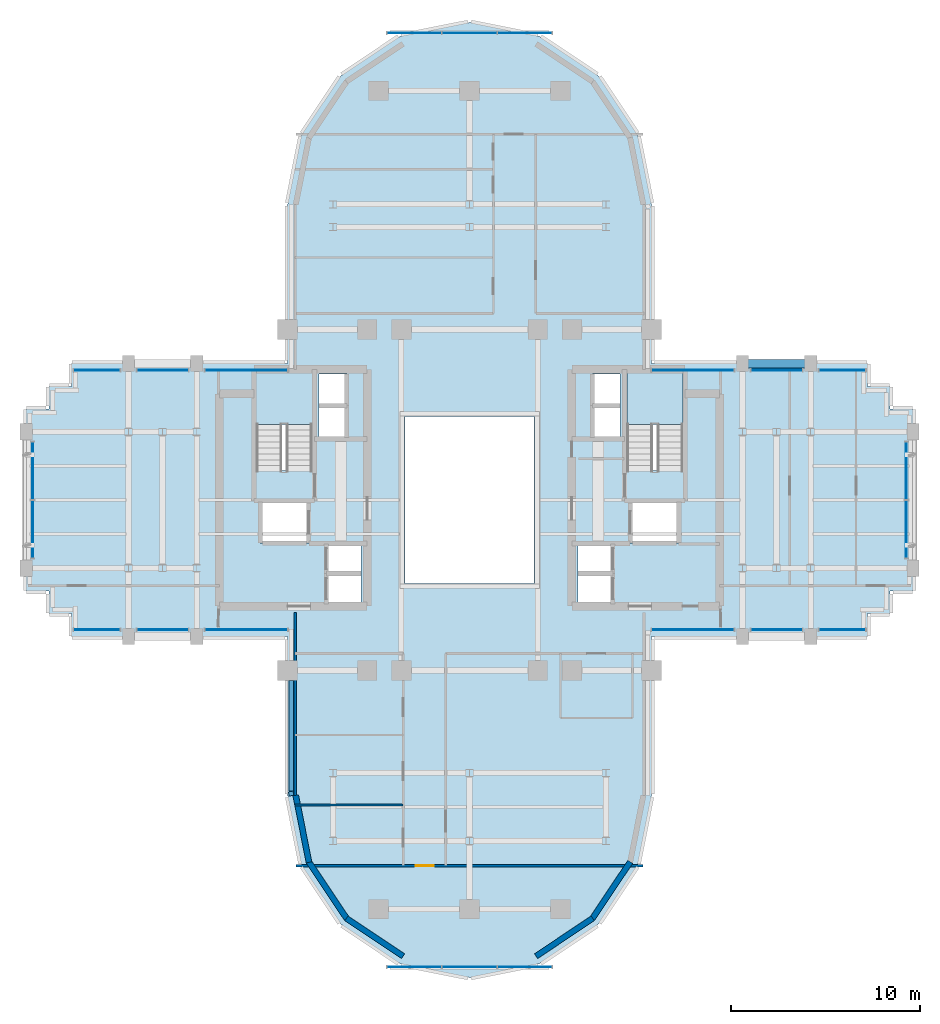
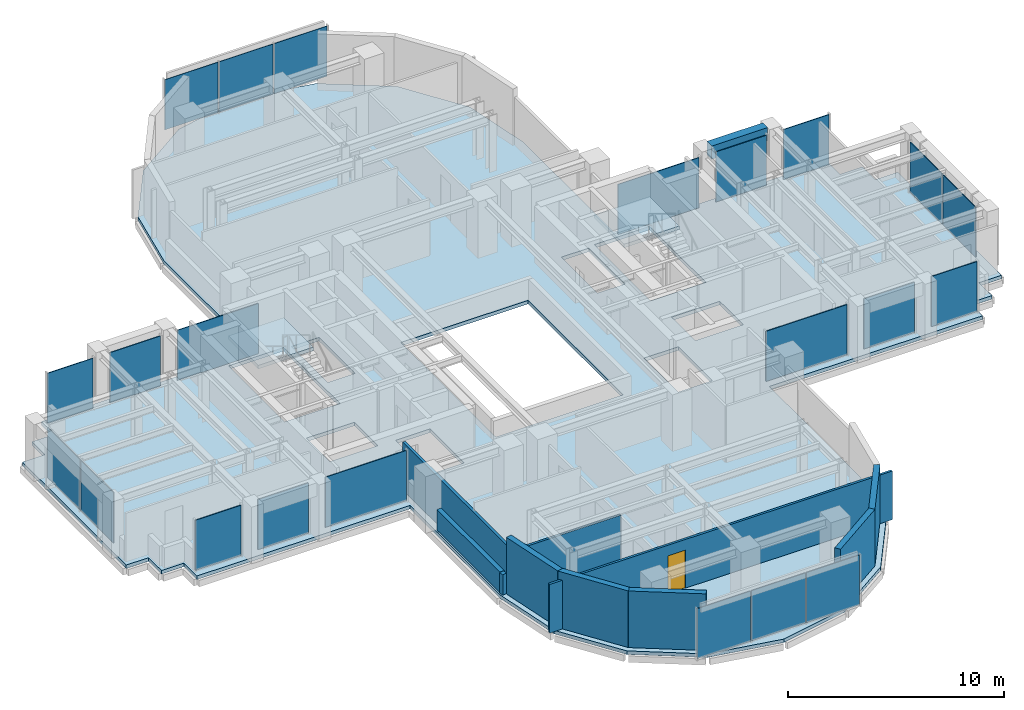
# One storey, part 7 of 14: 22 plates, 10 walls, 3 slabs, 1 beam, 1 door, 1 opening, 18 elements without a shape of their own.
"""IFC4 building model written with IfcOpenShell, lengths in metres."""

from ifc_helpers import new_model, si_unit, direction, frame, frame_2d, origin, origin_2d, place, context, subcontext, project, spatial, polyline, rectangle, outline, extrude, source, transform, mapped, material, layer, layer_set, material_profile, profile_set, type_object, element, fill, aggregate, save


model = new_model("IFC4")

# Units and contexts
model_context = context("Model", 3, precision=1e-05, world=origin(), true_north=direction((0.0, 1.0)))
body_context = subcontext(model_context, "Body", "Model", "MODEL_VIEW")
ifc_project = project(units=[si_unit("LENGTHUNIT", "METRE"), si_unit("AREAUNIT", "SQUARE_METRE"), si_unit("VOLUMEUNIT", "CUBIC_METRE"), si_unit("PLANEANGLEUNIT", "RADIAN"), si_unit("MASSUNIT", "GRAM", prefix="KILO")], contexts=[model_context])

# Site, building, storey
site_placement = place(None, origin())
site = spatial("IfcSite", under=ifc_project, at=site_placement, CompositionType="ELEMENT")
building_placement = place(site_placement, origin())
building = spatial("IfcBuilding", under=site, at=building_placement, Name="Keilestroom Media Tower", CompositionType="ELEMENT")
storey_placement = place(building_placement, frame((0.0, 0.0, 134.60009765625)))
storey = spatial("IfcBuildingStorey", under=building, at=storey_placement, Name="L36", CompositionType="ELEMENT", Elevation=134.60009765625)

# Beam
ifc_material_1 = material(Name="Precast concrete C40/50", Category="concrete")
ifc_material_profile = material_profile(ifc_material_1, rectangle(XDim=0.449951171875, YDim=0.75, at=origin_2d()), Name="PC 450x750")
ifc_profile_set = profile_set([ifc_material_profile], Name="Precast concrete C40/50")
beam_type = type_object("IfcBeamType", Name="Perimeter-Spandrel-Beam-PC-450x750", PredefinedType="SPANDREL", material=ifc_profile_set)
shared_shape_1 = source(origin(), body_context, "Body", "SweptSolid", [
    extrude(rectangle(XDim=0.449951171875, YDim=0.75, at=origin_2d()), origin(), (0.0, 0.0, 1.0), 2.989990234375),
])
beam_placement = place(storey_placement, frame((14.705078125, 7.199951171875, 2.824951171875), z_axis=(1.0, 0.0, 0.0), x_axis=(0.0, 1.0, 0.0)))
element("IfcBeam", 1, at=beam_placement, inside=storey, type_object=beam_type, Name="L36 Beam SPB-1 BM-L36-EW-027", PredefinedType="SPANDREL", context=body_context, shape_type="MappedRepresentation", body=[
    mapped(shared_shape_1, transform((0.0, 0.0, 0.0), x_axis=(1.0, 0.0, 0.0), y_axis=(0.0, 1.0, 0.0), z_axis=(0.0, 0.0, 1.0), scale=1.0)),
])

# Slab
ifc_material_2 = material(Name="Concrete C50/60", Category="concrete")
ifc_layer_1 = layer(ifc_material_2, 0.199951171875)
ifc_layer_set_1 = layer_set([ifc_layer_1], Name="Concrete C50/60")
slab_type_1 = type_object("IfcSlabType", Name="Composite-Floor-Slab-200", PredefinedType="FLOOR", material=ifc_layer_set_1)
slab_1_placement = place(storey_placement, frame((0.0, 0.0, -0.2001953125)))
element("IfcSlab", 2, at=slab_1_placement, inside=storey, type_object=slab_type_1, Name="L36 Structural Composite Floor Slab", PredefinedType="FLOOR", context=body_context, shape_type="SweptSolid", body=[
    extrude(outline(polyline([(23.39990234375, -4.800048828125), (23.39990234375, 4.800048828125), (22.199951171875, 4.800048828125), (22.199951171875, 6.0), (21.0, 6.0), (21.0, 7.199951171875), (9.60009765625, 7.199951171875), (9.60009765625, 9.60009765625), (9.60009765625, 15.60009765625), (8.869140625, 19.273681640625), (6.7880859375, 22.38818359375), (3.673828125, 24.46923828125), (0.0, 25.199951171875), (-3.673828125, 24.46923828125), (-6.7880859375, 22.38818359375), (-8.869140625, 19.273681640625), (-9.60009765625, 15.60009765625), (-9.60009765625, 9.60009765625), (-9.60009765625, 7.199951171875), (-21.0, 7.199951171875), (-21.0, 6.0), (-22.199951171875, 6.0), (-22.199951171875, 4.800048828125), (-23.39990234375, 4.800048828125), (-23.39990234375, -4.800048828125), (-22.199951171875, -4.800048828125), (-22.199951171875, -6.0), (-21.0, -6.0), (-21.0, -7.199951171875), (-9.60009765625, -7.199951171875), (-9.60009765625, -9.60009765625), (-9.60009765625, -15.60009765625), (-8.869140625, -19.273681640625), (-6.7880859375, -22.38818359375), (-3.673828125, -24.46923828125), (0.0, -25.199951171875), (3.673828125, -24.46923828125), (6.7880859375, -22.38818359375), (8.869140625, -19.273681640625), (9.60009765625, -15.60009765625), (9.60009765625, -9.60009765625), (9.60009765625, -7.199951171875), (21.0, -7.199951171875), (21.0, -6.0), (22.199951171875, -6.0), (22.199951171875, -4.800048828125), (23.39990234375, -4.800048828125)]), holes=[polyline([(-11.260009765625, 1.544921875), (-11.260009765625, 6.760009765625), (-8.300048828125, 6.760009765625), (-8.300048828125, 1.544921875), (-11.260009765625, 1.544921875)]), polyline([(-11.050048828125, -2.280029296875), (-11.050048828125, -0.10009765625), (-8.47998046875, -0.10009765625), (-8.47998046875, -2.280029296875), (-11.050048828125, -2.280029296875)]), polyline([(-7.949951171875, 3.300048828125), (-7.949951171875, 6.64990234375), (-6.47998046875, 6.64990234375), (-6.47998046875, 3.300048828125), (-7.949951171875, 3.300048828125)]), polyline([(-7.56005859375, -2.320068359375), (-5.719970703125, -2.320068359375), (-5.719970703125, -5.47998046875), (-7.56005859375, -5.47998046875), (-7.56005859375, -2.320068359375)]), polyline([(3.39990234375, -4.39990234375), (-3.39990234375, -4.39990234375), (-3.39990234375, 4.39990234375), (3.39990234375, 4.39990234375), (3.39990234375, -4.39990234375)]), polyline([(7.56005859375, -2.320068359375), (7.56005859375, -5.47998046875), (5.719970703125, -5.47998046875), (5.719970703125, -2.320068359375), (7.56005859375, -2.320068359375)]), polyline([(6.47998046875, 3.300048828125), (6.47998046875, 6.64990234375), (7.949951171875, 6.64990234375), (7.949951171875, 3.300048828125), (6.47998046875, 3.300048828125)]), polyline([(8.300048828125, 1.544921875), (8.300048828125, 6.760009765625), (11.260009765625, 6.760009765625), (11.260009765625, 1.544921875), (8.300048828125, 1.544921875)]), polyline([(8.47998046875, -2.280029296875), (8.47998046875, -0.10009765625), (11.050048828125, -0.10009765625), (11.050048828125, -2.280029296875), (8.47998046875, -2.280029296875)])]), origin(), (0.0, 0.0, 1.0), 0.2001953125),
])

# Stair, slab
ifc_material_3 = material(Name="Concrete C45/55", Category="concrete")
stair_type = type_object("IfcStairType", Name="Enclosed-Dog-Leg-Stair-ST-CORE", PredefinedType="HALF_TURN_STAIR", material=ifc_material_3)
stair_1_placement = place(storey_placement, origin())
stair_1 = element("IfcStair", 3, at=stair_1_placement, inside=storey, type_object=stair_type, Name="L36 West Core Escape Stair ST-1", PredefinedType="HALF_TURN_STAIR")
ifc_layer_2 = layer(ifc_material_3, 0.199951171875)
ifc_layer_set_2 = layer_set([ifc_layer_2], Name="Concrete C45/55")
slab_type_2 = type_object("IfcSlabType", Name="Stair-Intermediate-And-Top-Landing-Slab-200", PredefinedType="LANDING", material=ifc_layer_set_2)
slab_2_placement = place(storey_placement, frame((0.0, 0.0, 1.5)))
slab_2 = element("IfcSlab", 4, at=slab_2_placement, type_object=slab_type_2, Name="ST-1 landing 1", PredefinedType="LANDING", context=body_context, shape_type="SweptSolid", body=[
    extrude(outline(polyline([(-8.300048828125, 3.99609375), (-8.300048828125, 6.760009765625), (-11.260009765625, 6.760009765625), (-11.260009765625, 3.99609375), (-8.300048828125, 3.99609375)])), origin(), (0.0, 0.0, 1.0), 0.199951171875),
])
aggregate(stair_1, [slab_2])

stair_2_placement = place(storey_placement, origin())
stair_2 = element("IfcStair", 5, at=stair_2_placement, inside=storey, type_object=stair_type, Name="L36 East Core Escape Stair ST-2", PredefinedType="HALF_TURN_STAIR")
slab_3_placement = place(storey_placement, frame((0.0, 0.0, 1.5)))
slab_3 = element("IfcSlab", 6, at=slab_3_placement, type_object=slab_type_2, Name="ST-2 landing 1", PredefinedType="LANDING", context=body_context, shape_type="SweptSolid", body=[
    extrude(outline(polyline([(11.260009765625, 3.99609375), (11.260009765625, 6.760009765625), (8.300048828125, 6.760009765625), (8.300048828125, 3.99609375), (11.260009765625, 3.99609375)])), origin(), (0.0, 0.0, 1.0), 0.199951171875),
])
aggregate(stair_2, [slab_3])

# Curtain wall, plates
ifc_material_4 = material(Name="Anodised Aluminium Alloy", Category="aluminium")
curtain_wall_type_1 = type_object("IfcCurtainWallType", Name="Unitised-Curtain-Wall-CW-6", PredefinedType="NOTDEFINED", material=ifc_material_4)
curtain_wall_1_placement = place(storey_placement, origin())
curtain_wall_1 = element("IfcCurtainWall", 7, at=curtain_wall_1_placement, inside=storey, type_object=curtain_wall_type_1, Name="L36 Curtain Wall CW-6 CW-L36-LN-1", PredefinedType="NOTDEFINED")
ifc_material_5 = material(Name="Curved-Facet Triple Glazed Unit", Category="glass")
ifc_layer_3 = layer(ifc_material_5, 0.033935546875)
ifc_layer_set_3 = layer_set([ifc_layer_3], Name="Curved-Facet Triple Glazed Unit")
plate_type_1 = type_object("IfcPlateType", Name="Insulated-Curtain-Wall-Glazing-Panel-CW-6", PredefinedType="CURTAIN_PANEL", material=ifc_layer_set_3)
shared_shape_2 = source(origin(), body_context, "Body", "SweptSolid", [
    extrude(rectangle(XDim=2.84375, YDim=0.033935546875, at=origin_2d()), origin(), (0.0, 0.0, 1.0), 2.833984375),
])
plate_1_placement = place(storey_placement, frame((-2.9169921875, 24.64990234375, 0.072998046875), z_axis=(0.0, 0.0, 1.0), x_axis=(1.0, 0.0, 0.0)))
plate_1 = element("IfcPlate", 8, at=plate_1_placement, type_object=plate_type_1, Name="CW-6 Unitised Glazing 00", PredefinedType="CURTAIN_PANEL", context=body_context, shape_type="MappedRepresentation", body=[
    mapped(shared_shape_2, transform((0.0, 0.0, 0.0), x_axis=(1.0, 0.0, 0.0), y_axis=(0.0, 1.0, 0.0), z_axis=(0.0, 0.0, 1.0), scale=1.0)),
])
plate_2_placement = place(storey_placement, frame((2.9169921875, 24.64990234375, 0.072998046875), z_axis=(0.0, 0.0, 1.0), x_axis=(1.0, 0.0, 0.0)))
plate_2 = element("IfcPlate", 9, at=plate_2_placement, type_object=plate_type_1, Name="CW-6 Unitised Glazing 02", PredefinedType="CURTAIN_PANEL", context=body_context, shape_type="MappedRepresentation", body=[
    mapped(shared_shape_2, transform((0.0, 0.0, 0.0), x_axis=(1.0, 0.0, 0.0), y_axis=(0.0, 1.0, 0.0), z_axis=(0.0, 0.0, 1.0), scale=1.0)),
])

curtain_wall_2_placement = place(storey_placement, origin())
curtain_wall_2 = element("IfcCurtainWall", 10, at=curtain_wall_2_placement, inside=storey, type_object=curtain_wall_type_1, Name="L36 Curtain Wall CW-6 CW-L36-LS-1", PredefinedType="NOTDEFINED")
plate_3_placement = place(storey_placement, frame((-2.9169921875, -24.64990234375, 0.072998046875), z_axis=(0.0, 0.0, 1.0), x_axis=(1.0, 0.0, 0.0)))
plate_3 = element("IfcPlate", 11, at=plate_3_placement, type_object=plate_type_1, Name="CW-6 Unitised Glazing 00", PredefinedType="CURTAIN_PANEL", context=body_context, shape_type="MappedRepresentation", body=[
    mapped(shared_shape_2, transform((0.0, 0.0, 0.0), x_axis=(1.0, 0.0, 0.0), y_axis=(0.0, 1.0, 0.0), z_axis=(0.0, 0.0, 1.0), scale=1.0)),
])
plate_4_placement = place(storey_placement, frame((2.9169921875, -24.64990234375, 0.072998046875), z_axis=(0.0, 0.0, 1.0), x_axis=(1.0, 0.0, 0.0)))
plate_4 = element("IfcPlate", 12, at=plate_4_placement, type_object=plate_type_1, Name="CW-6 Unitised Glazing 02", PredefinedType="CURTAIN_PANEL", context=body_context, shape_type="MappedRepresentation", body=[
    mapped(shared_shape_2, transform((0.0, 0.0, 0.0), x_axis=(1.0, 0.0, 0.0), y_axis=(0.0, 1.0, 0.0), z_axis=(0.0, 0.0, 1.0), scale=1.0)),
])

# Plate
shared_shape_3 = source(origin(), body_context, "Body", "SweptSolid", [
    extrude(rectangle(XDim=2.876220703125, YDim=0.033935546875, at=origin_2d()), origin(), (0.0, 0.0, 1.0), 2.833984375),
])
plate_5_placement = place(storey_placement, frame((0.0, 24.64990234375, 0.072998046875), z_axis=(0.0, 0.0, 1.0), x_axis=(1.0, 0.0, 0.0)))
plate_5 = element("IfcPlate", 13, at=plate_5_placement, type_object=plate_type_1, Name="CW-6 Unitised Glazing 01", PredefinedType="CURTAIN_PANEL", context=body_context, shape_type="MappedRepresentation", body=[
    mapped(shared_shape_3, transform((0.0, 0.0, 0.0), x_axis=(1.0, 0.0, 0.0), y_axis=(0.0, 1.0, 0.0), z_axis=(0.0, 0.0, 1.0), scale=1.0)),
])

aggregate(curtain_wall_1, [plate_1, plate_5, plate_2])

plate_6_placement = place(storey_placement, frame((0.0, -24.64990234375, 0.072998046875), z_axis=(0.0, 0.0, 1.0), x_axis=(1.0, 0.0, 0.0)))
plate_6 = element("IfcPlate", 14, at=plate_6_placement, type_object=plate_type_1, Name="CW-6 Unitised Glazing 01", PredefinedType="CURTAIN_PANEL", context=body_context, shape_type="MappedRepresentation", body=[
    mapped(shared_shape_3, transform((0.0, 0.0, 0.0), x_axis=(1.0, 0.0, 0.0), y_axis=(0.0, 1.0, 0.0), z_axis=(0.0, 0.0, 1.0), scale=1.0)),
])

aggregate(curtain_wall_2, [plate_3, plate_6, plate_4])

# Curtain wall, plate
curtain_wall_type_2 = type_object("IfcCurtainWallType", Name="Unitised-Curtain-Wall-CW-2", PredefinedType="NOTDEFINED", material=ifc_material_4)
curtain_wall_3_placement = place(storey_placement, origin())
curtain_wall_3 = element("IfcCurtainWall", 15, at=curtain_wall_3_placement, inside=storey, type_object=curtain_wall_type_2, Name="L36 Curtain Wall CW-2 CW-L36-NW-1", PredefinedType="NOTDEFINED")
ifc_material_6 = material(Name="Double Glazed Low-E Unit", Category="glass")
ifc_layer_4 = layer(ifc_material_6, 0.0419921875)
ifc_layer_set_4 = layer_set([ifc_layer_4], Name="Double Glazed Low-E Unit")
plate_type_2 = type_object("IfcPlateType", Name="Insulated-Curtain-Wall-Glazing-Panel-CW-2", PredefinedType="CURTAIN_PANEL", material=ifc_layer_set_4)
shared_shape_4 = source(origin(), body_context, "Body", "SweptSolid", [
    extrude(rectangle(XDim=2.43310546875, YDim=0.0419921875, at=origin_2d()), origin(), (0.0, 0.0, 1.0), 2.833984375),
])
plate_7_placement = place(storey_placement, frame((-19.66748046875, 6.85009765625, 0.072998046875), z_axis=(0.0, 0.0, 1.0), x_axis=(1.0, 0.0, 0.0)))
plate_7 = element("IfcPlate", 16, at=plate_7_placement, type_object=plate_type_2, Name="CW-2 Unitised Glazing 00", PredefinedType="CURTAIN_PANEL", context=body_context, shape_type="MappedRepresentation", body=[
    mapped(shared_shape_4, transform((0.0, 0.0, 0.0), x_axis=(1.0, 0.0, 0.0), y_axis=(0.0, 1.0, 0.0), z_axis=(0.0, 0.0, 1.0), scale=1.0)),
])
aggregate(curtain_wall_3, [plate_7])

curtain_wall_4_placement = place(storey_placement, origin())
curtain_wall_4 = element("IfcCurtainWall", 17, at=curtain_wall_4_placement, inside=storey, type_object=curtain_wall_type_2, Name="L36 Curtain Wall CW-2 CW-L36-NE-3", PredefinedType="NOTDEFINED")
plate_8_placement = place(storey_placement, frame((19.66748046875, 6.85009765625, 0.072998046875), z_axis=(0.0, 0.0, 1.0), x_axis=(1.0, 0.0, 0.0)))
plate_8 = element("IfcPlate", 18, at=plate_8_placement, type_object=plate_type_2, Name="CW-2 Unitised Glazing 00", PredefinedType="CURTAIN_PANEL", context=body_context, shape_type="MappedRepresentation", body=[
    mapped(shared_shape_4, transform((0.0, 0.0, 0.0), x_axis=(1.0, 0.0, 0.0), y_axis=(0.0, 1.0, 0.0), z_axis=(0.0, 0.0, 1.0), scale=1.0)),
])
aggregate(curtain_wall_4, [plate_8])

curtain_wall_5_placement = place(storey_placement, origin())
curtain_wall_5 = element("IfcCurtainWall", 19, at=curtain_wall_5_placement, inside=storey, type_object=curtain_wall_type_2, Name="L36 Curtain Wall CW-2 CW-L36-SW-1", PredefinedType="NOTDEFINED")
plate_9_placement = place(storey_placement, frame((-19.66748046875, -6.85009765625, 0.072998046875), z_axis=(0.0, 0.0, 1.0), x_axis=(1.0, 0.0, 0.0)))
plate_9 = element("IfcPlate", 20, at=plate_9_placement, type_object=plate_type_2, Name="CW-2 Unitised Glazing 00", PredefinedType="CURTAIN_PANEL", context=body_context, shape_type="MappedRepresentation", body=[
    mapped(shared_shape_4, transform((0.0, 0.0, 0.0), x_axis=(1.0, 0.0, 0.0), y_axis=(0.0, 1.0, 0.0), z_axis=(0.0, 0.0, 1.0), scale=1.0)),
])
aggregate(curtain_wall_5, [plate_9])

curtain_wall_6_placement = place(storey_placement, origin())
curtain_wall_6 = element("IfcCurtainWall", 21, at=curtain_wall_6_placement, inside=storey, type_object=curtain_wall_type_2, Name="L36 Curtain Wall CW-2 CW-L36-SE-3", PredefinedType="NOTDEFINED")
plate_10_placement = place(storey_placement, frame((19.66748046875, -6.85009765625, 0.072998046875), z_axis=(0.0, 0.0, 1.0), x_axis=(1.0, 0.0, 0.0)))
plate_10 = element("IfcPlate", 22, at=plate_10_placement, type_object=plate_type_2, Name="CW-2 Unitised Glazing 00", PredefinedType="CURTAIN_PANEL", context=body_context, shape_type="MappedRepresentation", body=[
    mapped(shared_shape_4, transform((0.0, 0.0, 0.0), x_axis=(1.0, 0.0, 0.0), y_axis=(0.0, 1.0, 0.0), z_axis=(0.0, 0.0, 1.0), scale=1.0)),
])
aggregate(curtain_wall_6, [plate_10])

curtain_wall_7_placement = place(storey_placement, origin())
curtain_wall_7 = element("IfcCurtainWall", 23, at=curtain_wall_7_placement, inside=storey, type_object=curtain_wall_type_2, Name="L36 Curtain Wall CW-2 CW-L36-NW-2", PredefinedType="NOTDEFINED")
shared_shape_5 = source(origin(), body_context, "Body", "SweptSolid", [
    extrude(rectangle(XDim=2.697998046875, YDim=0.0419921875, at=origin_2d()), origin(), (0.0, 0.0, 1.0), 2.833984375),
])
plate_11_placement = place(storey_placement, frame((-16.199951171875, 6.85009765625, 0.072998046875), z_axis=(0.0, 0.0, 1.0), x_axis=(1.0, 0.0, 0.0)))
plate_11 = element("IfcPlate", 24, at=plate_11_placement, type_object=plate_type_2, Name="CW-2 Unitised Glazing 00", PredefinedType="CURTAIN_PANEL", context=body_context, shape_type="MappedRepresentation", body=[
    mapped(shared_shape_5, transform((0.0, 0.0, 0.0), x_axis=(1.0, 0.0, 0.0), y_axis=(0.0, 1.0, 0.0), z_axis=(0.0, 0.0, 1.0), scale=1.0)),
])
aggregate(curtain_wall_7, [plate_11])

curtain_wall_8_placement = place(storey_placement, origin())
curtain_wall_8 = element("IfcCurtainWall", 25, at=curtain_wall_8_placement, inside=storey, type_object=curtain_wall_type_2, Name="L36 Curtain Wall CW-2 CW-L36-NE-2", PredefinedType="NOTDEFINED")
plate_12_placement = place(storey_placement, frame((16.199951171875, 6.85009765625, 0.072998046875), z_axis=(0.0, 0.0, 1.0), x_axis=(1.0, 0.0, 0.0)))
plate_12 = element("IfcPlate", 26, at=plate_12_placement, type_object=plate_type_2, Name="CW-2 Unitised Glazing 00", PredefinedType="CURTAIN_PANEL", context=body_context, shape_type="MappedRepresentation", body=[
    mapped(shared_shape_5, transform((0.0, 0.0, 0.0), x_axis=(1.0, 0.0, 0.0), y_axis=(0.0, 1.0, 0.0), z_axis=(0.0, 0.0, 1.0), scale=1.0)),
])
aggregate(curtain_wall_8, [plate_12])

curtain_wall_9_placement = place(storey_placement, origin())
curtain_wall_9 = element("IfcCurtainWall", 27, at=curtain_wall_9_placement, inside=storey, type_object=curtain_wall_type_2, Name="L36 Curtain Wall CW-2 CW-L36-SW-2", PredefinedType="NOTDEFINED")
plate_13_placement = place(storey_placement, frame((-16.199951171875, -6.85009765625, 0.072998046875), z_axis=(0.0, 0.0, 1.0), x_axis=(1.0, 0.0, 0.0)))
plate_13 = element("IfcPlate", 28, at=plate_13_placement, type_object=plate_type_2, Name="CW-2 Unitised Glazing 00", PredefinedType="CURTAIN_PANEL", context=body_context, shape_type="MappedRepresentation", body=[
    mapped(shared_shape_5, transform((0.0, 0.0, 0.0), x_axis=(1.0, 0.0, 0.0), y_axis=(0.0, 1.0, 0.0), z_axis=(0.0, 0.0, 1.0), scale=1.0)),
])
aggregate(curtain_wall_9, [plate_13])

curtain_wall_10_placement = place(storey_placement, origin())
curtain_wall_10 = element("IfcCurtainWall", 29, at=curtain_wall_10_placement, inside=storey, type_object=curtain_wall_type_2, Name="L36 Curtain Wall CW-2 CW-L36-SE-2", PredefinedType="NOTDEFINED")
plate_14_placement = place(storey_placement, frame((16.199951171875, -6.85009765625, 0.072998046875), z_axis=(0.0, 0.0, 1.0), x_axis=(1.0, 0.0, 0.0)))
plate_14 = element("IfcPlate", 30, at=plate_14_placement, type_object=plate_type_2, Name="CW-2 Unitised Glazing 00", PredefinedType="CURTAIN_PANEL", context=body_context, shape_type="MappedRepresentation", body=[
    mapped(shared_shape_5, transform((0.0, 0.0, 0.0), x_axis=(1.0, 0.0, 0.0), y_axis=(0.0, 1.0, 0.0), z_axis=(0.0, 0.0, 1.0), scale=1.0)),
])
aggregate(curtain_wall_10, [plate_14])

curtain_wall_11_placement = place(storey_placement, origin())
curtain_wall_11 = element("IfcCurtainWall", 31, at=curtain_wall_11_placement, inside=storey, type_object=curtain_wall_type_2, Name="L36 Curtain Wall CW-2 CW-L36-NW-3", PredefinedType="NOTDEFINED")
shared_shape_6 = source(origin(), body_context, "Body", "SweptSolid", [
    extrude(rectangle(XDim=4.3330078125, YDim=0.0419921875, at=origin_2d()), origin(), (0.0, 0.0, 1.0), 2.833984375),
])
plate_15_placement = place(storey_placement, frame((-11.782470703125, 6.85009765625, 0.072998046875), z_axis=(0.0, 0.0, 1.0), x_axis=(1.0, 0.0, 0.0)))
plate_15 = element("IfcPlate", 32, at=plate_15_placement, type_object=plate_type_2, Name="CW-2 Unitised Glazing 00", PredefinedType="CURTAIN_PANEL", context=body_context, shape_type="MappedRepresentation", body=[
    mapped(shared_shape_6, transform((0.0, 0.0, 0.0), x_axis=(1.0, 0.0, 0.0), y_axis=(0.0, 1.0, 0.0), z_axis=(0.0, 0.0, 1.0), scale=1.0)),
])
aggregate(curtain_wall_11, [plate_15])

curtain_wall_12_placement = place(storey_placement, origin())
curtain_wall_12 = element("IfcCurtainWall", 33, at=curtain_wall_12_placement, inside=storey, type_object=curtain_wall_type_2, Name="L36 Curtain Wall CW-2 CW-L36-NE-1", PredefinedType="NOTDEFINED")
plate_16_placement = place(storey_placement, frame((11.782470703125, 6.85009765625, 0.072998046875), z_axis=(0.0, 0.0, 1.0), x_axis=(1.0, 0.0, 0.0)))
plate_16 = element("IfcPlate", 34, at=plate_16_placement, type_object=plate_type_2, Name="CW-2 Unitised Glazing 00", PredefinedType="CURTAIN_PANEL", context=body_context, shape_type="MappedRepresentation", body=[
    mapped(shared_shape_6, transform((0.0, 0.0, 0.0), x_axis=(1.0, 0.0, 0.0), y_axis=(0.0, 1.0, 0.0), z_axis=(0.0, 0.0, 1.0), scale=1.0)),
])
aggregate(curtain_wall_12, [plate_16])

curtain_wall_13_placement = place(storey_placement, origin())
curtain_wall_13 = element("IfcCurtainWall", 35, at=curtain_wall_13_placement, inside=storey, type_object=curtain_wall_type_2, Name="L36 Curtain Wall CW-2 CW-L36-SW-3", PredefinedType="NOTDEFINED")
plate_17_placement = place(storey_placement, frame((-11.782470703125, -6.85009765625, 0.072998046875), z_axis=(0.0, 0.0, 1.0), x_axis=(1.0, 0.0, 0.0)))
plate_17 = element("IfcPlate", 36, at=plate_17_placement, type_object=plate_type_2, Name="CW-2 Unitised Glazing 00", PredefinedType="CURTAIN_PANEL", context=body_context, shape_type="MappedRepresentation", body=[
    mapped(shared_shape_6, transform((0.0, 0.0, 0.0), x_axis=(1.0, 0.0, 0.0), y_axis=(0.0, 1.0, 0.0), z_axis=(0.0, 0.0, 1.0), scale=1.0)),
])
aggregate(curtain_wall_13, [plate_17])

curtain_wall_14_placement = place(storey_placement, origin())
curtain_wall_14 = element("IfcCurtainWall", 37, at=curtain_wall_14_placement, inside=storey, type_object=curtain_wall_type_2, Name="L36 Curtain Wall CW-2 CW-L36-SE-1", PredefinedType="NOTDEFINED")
plate_18_placement = place(storey_placement, frame((11.782470703125, -6.85009765625, 0.072998046875), z_axis=(0.0, 0.0, 1.0), x_axis=(1.0, 0.0, 0.0)))
plate_18 = element("IfcPlate", 38, at=plate_18_placement, type_object=plate_type_2, Name="CW-2 Unitised Glazing 00", PredefinedType="CURTAIN_PANEL", context=body_context, shape_type="MappedRepresentation", body=[
    mapped(shared_shape_6, transform((0.0, 0.0, 0.0), x_axis=(1.0, 0.0, 0.0), y_axis=(0.0, 1.0, 0.0), z_axis=(0.0, 0.0, 1.0), scale=1.0)),
])
aggregate(curtain_wall_14, [plate_18])

# Curtain wall, plates
curtain_wall_15_placement = place(storey_placement, origin())
curtain_wall_15 = element("IfcCurtainWall", 39, at=curtain_wall_15_placement, inside=storey, type_object=curtain_wall_type_2, Name="L36 Curtain Wall CW-2 CW-L36-W-1", PredefinedType="NOTDEFINED")
shared_shape_7 = source(origin(), body_context, "Body", "SweptSolid", [
    extrude(rectangle(XDim=3.01806640625, YDim=0.0419921875, at=origin_2d()), origin(), (0.0, 0.0, 1.0), 2.833984375),
])
plate_19_placement = place(storey_placement, frame((-23.050048828125, -1.5400390625, 0.072998046875), z_axis=(0.0, 0.0, 1.0), x_axis=(0.0, 1.0, 0.0)))
plate_19 = element("IfcPlate", 40, at=plate_19_placement, type_object=plate_type_2, Name="CW-2 Unitised Glazing 00", PredefinedType="CURTAIN_PANEL", context=body_context, shape_type="MappedRepresentation", body=[
    mapped(shared_shape_7, transform((0.0, 0.0, 0.0), x_axis=(1.0, 0.0, 0.0), y_axis=(0.0, 1.0, 0.0), z_axis=(0.0, 0.0, 1.0), scale=1.0)),
])
plate_20_placement = place(storey_placement, frame((-23.050048828125, 1.5400390625, 0.072998046875), z_axis=(0.0, 0.0, 1.0), x_axis=(0.0, 1.0, 0.0)))
plate_20 = element("IfcPlate", 41, at=plate_20_placement, type_object=plate_type_2, Name="CW-2 Unitised Glazing 01", PredefinedType="CURTAIN_PANEL", context=body_context, shape_type="MappedRepresentation", body=[
    mapped(shared_shape_7, transform((0.0, 0.0, 0.0), x_axis=(1.0, 0.0, 0.0), y_axis=(0.0, 1.0, 0.0), z_axis=(0.0, 0.0, 1.0), scale=1.0)),
])
aggregate(curtain_wall_15, [plate_19, plate_20])

curtain_wall_16_placement = place(storey_placement, origin())
curtain_wall_16 = element("IfcCurtainWall", 42, at=curtain_wall_16_placement, inside=storey, type_object=curtain_wall_type_2, Name="L36 Curtain Wall CW-2 CW-L36-E-1", PredefinedType="NOTDEFINED")
plate_21_placement = place(storey_placement, frame((23.050048828125, -1.5400390625, 0.072998046875), z_axis=(0.0, 0.0, 1.0), x_axis=(0.0, 1.0, 0.0)))
plate_21 = element("IfcPlate", 43, at=plate_21_placement, type_object=plate_type_2, Name="CW-2 Unitised Glazing 00", PredefinedType="CURTAIN_PANEL", context=body_context, shape_type="MappedRepresentation", body=[
    mapped(shared_shape_7, transform((0.0, 0.0, 0.0), x_axis=(1.0, 0.0, 0.0), y_axis=(0.0, 1.0, 0.0), z_axis=(0.0, 0.0, 1.0), scale=1.0)),
])
plate_22_placement = place(storey_placement, frame((23.050048828125, 1.5400390625, 0.072998046875), z_axis=(0.0, 0.0, 1.0), x_axis=(0.0, 1.0, 0.0)))
plate_22 = element("IfcPlate", 44, at=plate_22_placement, type_object=plate_type_2, Name="CW-2 Unitised Glazing 01", PredefinedType="CURTAIN_PANEL", context=body_context, shape_type="MappedRepresentation", body=[
    mapped(shared_shape_7, transform((0.0, 0.0, 0.0), x_axis=(1.0, 0.0, 0.0), y_axis=(0.0, 1.0, 0.0), z_axis=(0.0, 0.0, 1.0), scale=1.0)),
])
aggregate(curtain_wall_16, [plate_21, plate_22])

# Walls
ifc_layer_5 = layer(ifc_material_1, 0.300048828125)
ifc_layer_set_5 = layer_set([ifc_layer_5], Name="Precast concrete C40/50")
wall_type_1 = type_object("IfcWallType", Name="Exterior-Masonry-Spandrel-Wall-300", PredefinedType="SOLIDWALL", material=ifc_layer_set_5)
for number, where, z_axis, x_axis, name in (
    (45, (-9.1748046875, -15.585205078125, 0.0), (0.0, 0.0, 1.0), (0.195114232679, -0.980780523974, 0.0), "L36 Lobe Facet Precast Frame Wall 07"),
    (46, (-8.48193359375, -19.097412109375, 0.0), (0.0, 0.0, 1.0), (0.555574187116, -0.831466970246, 0.0), "L36 Lobe Facet Precast Frame Wall 08"),
):
    element("IfcWall", number, at=place(storey_placement, frame(where, z_axis=z_axis, x_axis=x_axis)), inside=storey, type_object=wall_type_1, Name=name, PredefinedType="SOLIDWALL", context=body_context, shape_type="SweptSolid", body=[
        extrude(rectangle(XDim=3.608642578125, YDim=0.300048828125, at=frame_2d((1.80419921875, 0.0))), origin(), (0.0, 0.0, 1.0), 3.199951171875),
    ])
for number, where, z_axis, x_axis, name in (
    (47, (-6.497802734375, -22.0771484375, 0.0), (0.0, 0.0, 1.0), (0.8314749531, -0.555562239868, 0.0), "L36 Lobe Facet Precast Frame Wall 09"),
    (48, (3.510009765625, -24.073486328125, 0.0), (0.0, 0.0, 1.0), (0.8314749531, 0.555562239868, 0.0), "L36 Lobe Facet Precast Frame Wall 10"),
):
    element("IfcWall", number, at=place(storey_placement, frame(where, z_axis=z_axis, x_axis=x_axis)), inside=storey, type_object=wall_type_1, Name=name, PredefinedType="SOLIDWALL", context=body_context, shape_type="SweptSolid", body=[
        extrude(rectangle(XDim=3.59326171875, YDim=0.300048828125, at=frame_2d((1.796630859375, 0.0))), origin(), (0.0, 0.0, 1.0), 3.199951171875),
    ])
wall_1_placement = place(storey_placement, frame((6.47705078125, -22.097900390625, 0.0), z_axis=(0.0, 0.0, 1.0), x_axis=(0.555574187116, 0.831466970246, 0.0)))
element("IfcWall", 49, at=wall_1_placement, inside=storey, type_object=wall_type_1, Name="L36 Lobe Facet Precast Frame Wall 11", PredefinedType="SOLIDWALL", context=body_context, shape_type="SweptSolid", body=[
    extrude(rectangle(XDim=3.608642578125, YDim=0.300048828125, at=frame_2d((1.80419921875, 0.0))), origin(), (0.0, 0.0, 1.0), 3.199951171875),
])

# Wall, opening, door
ifc_material_7 = material(Name="Gypsum Plasterboard & Steel Stud", Category="steel")
ifc_layer_6 = layer(ifc_material_7, 0.1201171875)
ifc_layer_set_6 = layer_set([ifc_layer_6], Name="Gypsum Plasterboard & Steel Stud")
wall_type_2 = type_object("IfcWallType", Name="Interior-Partition-Wall-120", PredefinedType="PARTITIONING", material=ifc_layer_set_6)
wall_2_placement = place(storey_placement, frame((-9.159912109375, -19.300048828125, 0.0), z_axis=(0.0, 0.0, 1.0), x_axis=(1.0, 0.0, 0.0)))
wall_2 = element("IfcWall", 50, at=wall_2_placement, inside=storey, type_object=wall_type_2, Name="L36 Interior Wall WP-L36-SL-STIPW", PredefinedType="PARTITIONING", context=body_context, shape_type="SweptSolid", body=[
    extrude(rectangle(XDim=18.31982421875, YDim=0.1201171875, at=frame_2d((9.159912109375, 0.0))), origin(), (0.0, 0.0, 1.0), 2.75),
])
opening_placement = place(wall_2_placement, frame((6.31005859375, 0.0, 0.0)))
opening = element("IfcOpeningElement", 51, at=opening_placement, cuts=wall_2, Name="Opening DI-03", PredefinedType="OPENING", context=body_context, shape_type="SweptSolid", body=[
    extrude(rectangle(XDim=0.949951171875, YDim=2.14990234375, at=frame_2d((0.47509765625, 1.074951171875))), frame((0.0, 0.070068359375, 0.0), z_axis=(0.0, -1.0, 0.0), x_axis=(1.0, 0.0, 0.0)), (0.0, 0.0, 1.0), 0.14013671875),
])
ifc_material_8 = material(Name="Lacquered European Oak Leaf", Category="wood")
door_type = type_object("IfcDoorType", Name="Interior-Room-And-Suite-Door-DI-03", OperationType="NOTDEFINED", PredefinedType="DOOR", material=ifc_material_8)
shared_shape_8 = source(origin(), body_context, "Body", "SweptSolid", [
    extrude(rectangle(XDim=0.949951171875, YDim=2.14990234375, at=frame_2d((0.47509765625, 1.074951171875))), frame((0.0, 0.02490234375, 0.0), z_axis=(0.0, -1.0, 0.0), x_axis=(1.0, 0.0, 0.0)), (0.0, 0.0, 1.0), 0.050048828125),
])
door_placement = place(opening_placement, origin())
door = element("IfcDoor", 52, at=door_placement, inside=storey, type_object=door_type, Name="L36 Interior Door DI-L36-DSL-TIP", OperationType="SINGLE_SWING_RIGHT", OverallHeight=2.14990234375, OverallWidth=0.949951171875, PredefinedType="DOOR", context=body_context, shape_type="MappedRepresentation", body=[
    mapped(shared_shape_8, transform((0.0, 0.0, 0.0), x_axis=(1.0, 0.0, 0.0), y_axis=(0.0, 1.0, 0.0), z_axis=(0.0, 0.0, 1.0), scale=1.0)),
])
fill(opening, door)

# Walls
wall_3_placement = place(storey_placement, frame((-9.199951171875, -16.10009765625, 0.0), z_axis=(0.0, 0.0, 1.0), x_axis=(1.0, 0.0, 0.0)))
element("IfcWall", 53, at=wall_3_placement, inside=storey, type_object=wall_type_2, Name="L36 Interior Wall WP-L36-SL-HW1", PredefinedType="PARTITIONING", context=body_context, shape_type="SweptSolid", body=[
    extrude(rectangle(XDim=5.699951171875, YDim=0.1201171875, at=frame_2d((2.85009765625, 0.0))), origin(), (0.0, 0.0, 1.0), 2.75),
])
ifc_layer_7 = layer(ifc_material_7, 0.14990234375)
ifc_layer_set_7 = layer_set([ifc_layer_7], Name="Gypsum Plasterboard & Steel Stud")
wall_type_3 = type_object("IfcWallType", Name="Interior-Partition-Wall-150", PredefinedType="PARTITIONING", material=ifc_layer_set_7)
wall_4_placement = place(storey_placement, frame((-9.199951171875, -15.679931640625, 0.0), z_axis=(0.0, 0.0, 1.0), x_axis=(0.0, 1.0, 0.0)))
element("IfcWall", 54, at=wall_4_placement, inside=storey, type_object=wall_type_3, Name="L36 Interior Wall WP-L36-SL-CHKW", PredefinedType="PARTITIONING", context=body_context, shape_type="SweptSolid", body=[
    extrude(rectangle(XDim=9.739990234375, YDim=0.14990234375, at=frame_2d((4.8701171875, 0.0))), origin(), (0.0, 0.0, 1.0), 2.699951171875),
])
ifc_layer_8 = layer(ifc_material_1, 0.239990234375)
ifc_layer_set_8 = layer_set([ifc_layer_8], Name="Precast concrete C40/50")
wall_type_4 = type_object("IfcWallType", Name="Roof-And-Terrace-Parapet-Wall-240", PredefinedType="PARAPET", material=ifc_layer_set_8)
wall_5_placement = place(storey_placement, frame((-9.395263671875, -15.604248046875, 0.0), z_axis=(0.0, 0.0, 1.0), x_axis=(-0.194652052864, 0.980872355771, 0.0)))
element("IfcWall", 55, at=wall_5_placement, inside=storey, type_object=wall_type_4, Name="L36 Perimeter Edge Parapet Wall 07", PredefinedType="PARAPET", context=body_context, shape_type="SweptSolid", body=[
    extrude(rectangle(XDim=0.224609375, YDim=0.239990234375, at=frame_2d((0.1123046875, 0.0))), origin(), (0.0, 0.0, 1.0), 1.14990234375),
])
wall_6_placement = place(storey_placement, frame((-9.39990234375, -15.357666015625, 0.0), z_axis=(0.0, 0.0, 1.0), x_axis=(0.0, 1.0, 0.0)))
element("IfcWall", 56, at=wall_6_placement, inside=storey, type_object=wall_type_4, Name="L36 Perimeter Edge Parapet Wall 08", PredefinedType="PARAPET", context=body_context, shape_type="SweptSolid", body=[
    extrude(rectangle(XDim=5.82958984375, YDim=0.239990234375, at=frame_2d((2.914794921875, 0.0))), origin(), (0.0, 0.0, 1.0), 1.14990234375),
])

save(model, "model.ifc")
